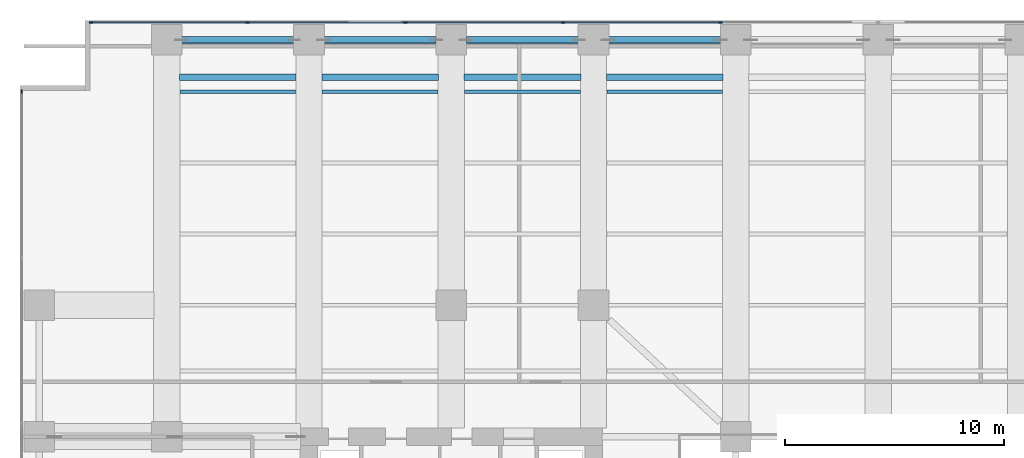
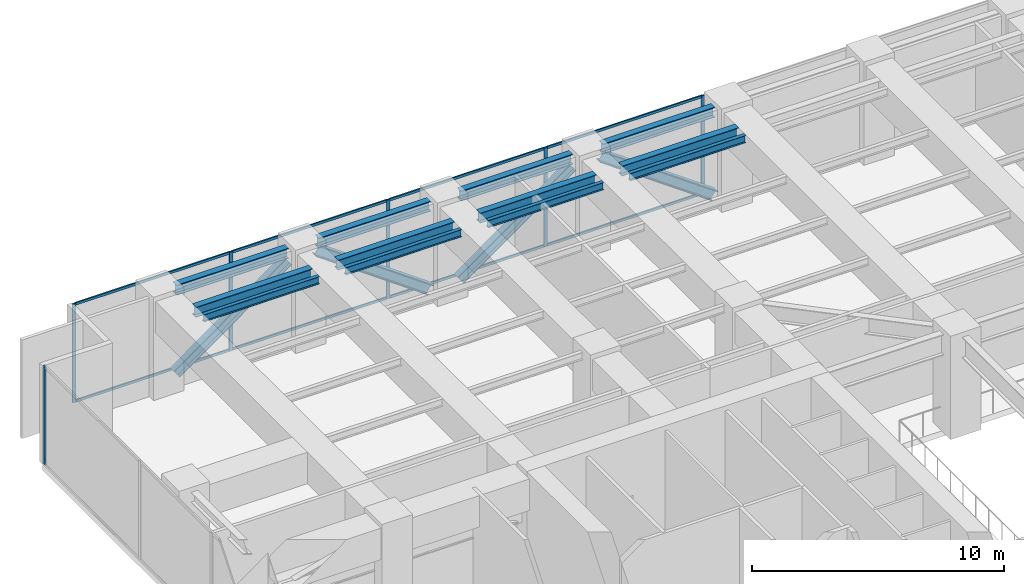
# One storey, part 10 of 31: 18 members, 12 beams, 2 elements without a shape of their own.
"""IFC4 building model written with IfcOpenShell, lengths in metres."""

from ifc_helpers import new_model, si_unit, direction, frame, origin, origin_2d, place, context, subcontext, project, spatial, rectangle, i_section, extrude, material, layer, layer_set, material_profile, profile_set, type_object, element, aggregate, save


model = new_model("IFC4")

# Units and contexts
model_context = context("Model", 3, precision=1e-05, world=origin(), true_north=direction((0.0, 1.0)))
body_context = subcontext(model_context, "Body", "Model", "MODEL_VIEW")
ifc_project = project(units=[si_unit("LENGTHUNIT", "METRE"), si_unit("AREAUNIT", "SQUARE_METRE"), si_unit("VOLUMEUNIT", "CUBIC_METRE"), si_unit("PLANEANGLEUNIT", "RADIAN"), si_unit("MASSUNIT", "GRAM", prefix="KILO")], contexts=[model_context])

# Site, building, storey
site_placement = place(None, origin())
site = spatial("IfcSite", under=ifc_project, at=site_placement, CompositionType="ELEMENT")
building_placement = place(site_placement, origin())
building = spatial("IfcBuilding", under=site, at=building_placement, Name="Putna Gate Headquarters", CompositionType="ELEMENT")
storey_placement = place(building_placement, frame((0.0, 0.0, 81.0)))
storey = spatial("IfcBuildingStorey", under=building, at=storey_placement, Name="L19", CompositionType="ELEMENT", Elevation=81.0)

# Beams
ifc_material_1 = material(Name="Steel S355J2", Category="steel")
ifc_material_profile_1 = material_profile(ifc_material_1, i_section(OverallWidth=0.169921875, OverallDepth=0.360107421875, WebThickness=0.008056640625, FlangeThickness=0.0126953125, at=origin_2d()), Name="Steel S355J2")
ifc_profile_set_1 = profile_set([ifc_material_profile_1], Name="Steel S355J2")
beam_type_1 = type_object("IfcBeamType", Name="BM-SEC-Z2-IPE360", PredefinedType="BEAM", material=ifc_profile_set_1)
for number, where, z_axis, x_axis, name in (
    (1, (7.10400390625, 48.75, 4.5849609375), (1.0, 0.0, 0.0), (0.0, 1.0, 0.0), "L19 North Secondary Beam 1"),
    (2, (13.60400390625, 48.75, 4.5849609375), (1.0, 0.0, 0.0), (0.0, 1.0, 0.0), "L19 North Secondary Beam 2"),
    (3, (20.10400390625, 48.75, 4.5849609375), (1.0, 0.0, 0.0), (0.0, 1.0, 0.0), "L19 North Secondary Beam 3"),
    (4, (26.60400390625, 48.75, 4.5849609375), (1.0, 0.0, 0.0), (0.0, 1.0, 0.0), "L19 North Secondary Beam 4"),
):
    element("IfcBeam", number, at=place(storey_placement, frame(where, z_axis=z_axis, x_axis=x_axis)), inside=storey, type_object=beam_type_1, Name=name, PredefinedType="BEAM", context=body_context, shape_type="SweptSolid", body=[
        extrude(i_section(OverallWidth=0.169921875, OverallDepth=0.360107421875, WebThickness=0.008056640625, FlangeThickness=0.0126953125, at=origin_2d()), origin(), (0.0, 0.0, 1.0), 5.2919921875),
    ])
ifc_material_profile_2 = material_profile(ifc_material_1, i_section(OverallWidth=0.300048828125, OverallDepth=0.489990234375, WebThickness=0.011962890625, FlangeThickness=0.02294921875, at=origin_2d()), Name="Steel S355J2")
ifc_profile_set_2 = profile_set([ifc_material_profile_2], Name="Steel S355J2")
beam_type_2 = type_object("IfcBeamType", Name="BM-SPAN-Z2-HEA500", PredefinedType="SPANDREL", material=ifc_profile_set_2)
for number, where, z_axis, x_axis, name in (
    (5, (7.18798828125, 51.1201171875, 4.52001953125), (1.0, 0.0, 0.0), (0.0, 1.0, 0.0), "L19 N Perimeter Spandrel 1"),
    (6, (13.68798828125, 51.1201171875, 4.52001953125), (1.0, 0.0, 0.0), (0.0, 1.0, 0.0), "L19 N Perimeter Spandrel 2"),
    (7, (20.18798828125, 51.1201171875, 4.52001953125), (1.0, 0.0, 0.0), (0.0, 1.0, 0.0), "L19 N Perimeter Spandrel 3"),
    (8, (26.68798828125, 51.1201171875, 4.52001953125), (1.0, 0.0, 0.0), (0.0, 1.0, 0.0), "L19 N Perimeter Spandrel 4"),
):
    element("IfcBeam", number, at=place(storey_placement, frame(where, z_axis=z_axis, x_axis=x_axis)), inside=storey, type_object=beam_type_2, Name=name, PredefinedType="SPANDREL", context=body_context, shape_type="SweptSolid", body=[
        extrude(i_section(OverallWidth=0.300048828125, OverallDepth=0.489990234375, WebThickness=0.011962890625, FlangeThickness=0.02294921875, at=origin_2d()), origin(), (0.0, 0.0, 1.0), 5.1240234375),
    ])
for number, where, z_axis, x_axis, name in (
    (9, (7.0849609375, 49.419921875, 4.52001953125), (1.0, 0.0, 0.0), (0.0, 1.0, 0.0), "L19 Setback Edge Beam N1"),
    (10, (13.5849609375, 49.419921875, 4.52001953125), (1.0, 0.0, 0.0), (0.0, 1.0, 0.0), "L19 Setback Edge Beam N2"),
    (11, (20.0849609375, 49.419921875, 4.52001953125), (1.0, 0.0, 0.0), (0.0, 1.0, 0.0), "L19 Setback Edge Beam N3"),
    (12, (26.5849609375, 49.419921875, 4.52001953125), (1.0, 0.0, 0.0), (0.0, 1.0, 0.0), "L19 Setback Edge Beam N4"),
):
    element("IfcBeam", number, at=place(storey_placement, frame(where, z_axis=z_axis, x_axis=x_axis)), inside=storey, type_object=beam_type_2, Name=name, PredefinedType="SPANDREL", context=body_context, shape_type="SweptSolid", body=[
        extrude(i_section(OverallWidth=0.300048828125, OverallDepth=0.489990234375, WebThickness=0.011962890625, FlangeThickness=0.02294921875, at=origin_2d()), origin(), (0.0, 0.0, 1.0), 5.330078125),
    ])

# Members
ifc_material_2 = material(Name="Steel S460M", Category="steel")
ifc_material_profile_3 = material_profile(ifc_material_2, i_section(OverallWidth=0.306884765625, OverallDepth=0.47802734375, WebThickness=0.02099609375, FlangeThickness=0.0400390625, at=origin_2d()), Name="Steel S460M")
ifc_profile_set_3 = profile_set([ifc_material_profile_3], Name="Steel S460M")
member_type_1 = type_object("IfcMemberType", Name="MEM-BELT-DIAG-HEM450", PredefinedType="BRACE", material=ifc_profile_set_3)
for number, where, z_axis, x_axis, name in (
    (13, (7.18505859375, 51.1201171875, 0.449951171875), (0.813670670629, 0.0, 0.581326104487), (0.0, 1.0, 0.0), "L19 Belt Truss Diagonal N1"),
    (14, (13.68505859375, 51.1201171875, 4.114990234375), (0.813670670629, 0.0, -0.581326104487), (0.0, 1.0, 0.0), "L19 Belt Truss Diagonal N2"),
    (15, (20.18505859375, 51.1201171875, 0.449951171875), (0.813670670629, 0.0, 0.581326104487), (0.0, 1.0, 0.0), "L19 Belt Truss Diagonal N3"),
    (16, (26.68505859375, 51.1201171875, 4.114990234375), (0.813670670629, 0.0, -0.581326104487), (0.0, 1.0, 0.0), "L19 Belt Truss Diagonal N4"),
):
    element("IfcMember", number, at=place(storey_placement, frame(where, z_axis=z_axis, x_axis=x_axis)), inside=storey, type_object=member_type_1, Name=name, PredefinedType="BRACE", context=body_context, shape_type="SweptSolid", body=[
        extrude(i_section(OverallWidth=0.306884765625, OverallDepth=0.47802734375, WebThickness=0.02099609375, FlangeThickness=0.0400390625, at=origin_2d()), origin(), (0.0, 0.0, 1.0), 6.3046875),
    ])

# Curtain wall, members
ifc_material_3 = material(Name="Anodised bronze aluminium curtain wall", Category="aluminium")
ifc_layer = layer(ifc_material_3, 0.159912109375)
ifc_layer_set = layer_set([ifc_layer], Name="Anodised bronze aluminium curtain wall")
curtain_wall_type = type_object("IfcCurtainWallType", Name="CW-SYS-CRN", PredefinedType="USERDEFINED", material=ifc_layer_set)
curtain_wall_1_placement = place(storey_placement, origin())
curtain_wall_1 = element("IfcCurtainWall", 17, at=curtain_wall_1_placement, inside=storey, type_object=curtain_wall_type, Name="L19 Acoustic Louvre North Enclosure", ObjectType="STICK CURTAIN WALL", PredefinedType="USERDEFINED")
ifc_material_4 = material(Name="Anodised bronze aluminium EN AW-6060", Category="aluminium")
ifc_material_profile_4 = material_profile(ifc_material_4, rectangle(XDim=0.06494140625, YDim=0.159912109375, at=origin_2d()), Name="Anodised bronze aluminium EN AW-6060")
ifc_profile_set_4 = profile_set([ifc_material_profile_4], Name="Anodised bronze aluminium EN AW-6060")
member_type_2 = type_object("IfcMemberType", Name="MULL-CWM-CR", PredefinedType="MULLION", material=ifc_profile_set_4)
member_1_placement = place(storey_placement, frame((3.032470703125, 51.919921875, 0.0), z_axis=(0.0, 0.0, 1.0), x_axis=(0.0, 1.0, 0.0)))
member_1 = element("IfcMember", 18, at=member_1_placement, type_object=member_type_2, Name="CWS-CR mullion 1", PredefinedType="MULLION", context=body_context, shape_type="SweptSolid", body=[
    extrude(rectangle(XDim=0.06494140625, YDim=0.159912109375, at=origin_2d()), origin(), (0.0, 0.0, 1.0), 4.764892578125),
])
member_2_placement = place(storey_placement, frame((10.199951171875, 51.919921875, 0.0), z_axis=(0.0, 0.0, 1.0), x_axis=(0.0, 1.0, 0.0)))
member_2 = element("IfcMember", 19, at=member_2_placement, type_object=member_type_2, Name="CWS-CR mullion 2", PredefinedType="MULLION", context=body_context, shape_type="SweptSolid", body=[
    extrude(rectangle(XDim=0.06494140625, YDim=0.159912109375, at=origin_2d()), origin(), (0.0, 0.0, 1.0), 4.764892578125),
])
member_3_placement = place(storey_placement, frame((17.39990234375, 51.919921875, 0.0), z_axis=(0.0, 0.0, 1.0), x_axis=(0.0, 1.0, 0.0)))
member_3 = element("IfcMember", 20, at=member_3_placement, type_object=member_type_2, Name="CWS-CR mullion 3", PredefinedType="MULLION", context=body_context, shape_type="SweptSolid", body=[
    extrude(rectangle(XDim=0.06494140625, YDim=0.159912109375, at=origin_2d()), origin(), (0.0, 0.0, 1.0), 4.764892578125),
])
member_4_placement = place(storey_placement, frame((24.60009765625, 51.919921875, 0.0), z_axis=(0.0, 0.0, 1.0), x_axis=(0.0, 1.0, 0.0)))
member_4 = element("IfcMember", 21, at=member_4_placement, type_object=member_type_2, Name="CWS-CR mullion 4", PredefinedType="MULLION", context=body_context, shape_type="SweptSolid", body=[
    extrude(rectangle(XDim=0.06494140625, YDim=0.159912109375, at=origin_2d()), origin(), (0.0, 0.0, 1.0), 4.764892578125),
])
member_5_placement = place(storey_placement, frame((31.800048828125, 51.919921875, 0.0), z_axis=(0.0, 0.0, 1.0), x_axis=(0.0, 1.0, 0.0)))
member_5 = element("IfcMember", 22, at=member_5_placement, type_object=member_type_2, Name="CWS-CR mullion 5", PredefinedType="MULLION", context=body_context, shape_type="SweptSolid", body=[
    extrude(rectangle(XDim=0.06494140625, YDim=0.159912109375, at=origin_2d()), origin(), (0.0, 0.0, 1.0), 4.764892578125),
])

# Curtain wall, member
curtain_wall_2_placement = place(storey_placement, origin())
curtain_wall_2 = element("IfcCurtainWall", 23, at=curtain_wall_2_placement, inside=storey, type_object=curtain_wall_type, Name="L19 Acoustic Louvre West Enclosure", ObjectType="STICK CURTAIN WALL", PredefinedType="USERDEFINED")
member_6_placement = place(storey_placement, frame((-0.1201171875, 48.767578125, 0.0), z_axis=(0.0, 0.0, 1.0), x_axis=(-1.0, 0.0, 0.0)))
member_6 = element("IfcMember", 24, at=member_6_placement, type_object=member_type_2, Name="CWS-CR mullion 7", PredefinedType="MULLION", context=body_context, shape_type="SweptSolid", body=[
    extrude(rectangle(XDim=0.06494140625, YDim=0.159912109375, at=origin_2d()), origin(), (0.0, 0.0, 1.0), 4.764892578125),
])
aggregate(curtain_wall_2, [member_6])

# Member
ifc_material_profile_5 = material_profile(ifc_material_4, rectangle(XDim=0.06494140625, YDim=0.1201171875, at=origin_2d()), Name="Anodised bronze aluminium EN AW-6060")
ifc_profile_set_5 = profile_set([ifc_material_profile_5], Name="Anodised bronze aluminium EN AW-6060")
member_type_3 = type_object("IfcMemberType", Name="TRAN-CWT-CR", PredefinedType="USERDEFINED", material=ifc_profile_set_5)
member_7_placement = place(storey_placement, frame((3.06494140625, 51.919921875, 0.032470703125), z_axis=(1.0, 0.0, 0.0), x_axis=(0.0, 1.0, 0.0)))
member_7 = element("IfcMember", 25, at=member_7_placement, type_object=member_type_3, Name="CWS-CR transom 1.1", ObjectType="TRANSOM", PredefinedType="USERDEFINED", context=body_context, shape_type="SweptSolid", body=[
    extrude(rectangle(XDim=0.06494140625, YDim=0.1201171875, at=origin_2d()), origin(), (0.0, 0.0, 1.0), 7.1025390625),
])

member_8_placement = place(storey_placement, frame((3.06494140625, 51.919921875, 4.732421875), z_axis=(1.0, 0.0, 0.0), x_axis=(0.0, 1.0, 0.0)))
member_8 = element("IfcMember", 26, at=member_8_placement, type_object=member_type_3, Name="CWS-CR transom 1.2", ObjectType="TRANSOM", PredefinedType="USERDEFINED", context=body_context, shape_type="SweptSolid", body=[
    extrude(rectangle(XDim=0.06494140625, YDim=0.1201171875, at=origin_2d()), origin(), (0.0, 0.0, 1.0), 7.1025390625),
])

member_9_placement = place(storey_placement, frame((10.232421875, 51.919921875, 0.032470703125), z_axis=(1.0, 0.0, 0.0), x_axis=(0.0, 1.0, 0.0)))
member_9 = element("IfcMember", 27, at=member_9_placement, type_object=member_type_3, Name="CWS-CR transom 2.1", ObjectType="TRANSOM", PredefinedType="USERDEFINED", context=body_context, shape_type="SweptSolid", body=[
    extrude(rectangle(XDim=0.06494140625, YDim=0.1201171875, at=origin_2d()), origin(), (0.0, 0.0, 1.0), 7.135009765625),
])

member_10_placement = place(storey_placement, frame((10.232421875, 51.919921875, 4.732421875), z_axis=(1.0, 0.0, 0.0), x_axis=(0.0, 1.0, 0.0)))
member_10 = element("IfcMember", 28, at=member_10_placement, type_object=member_type_3, Name="CWS-CR transom 2.2", ObjectType="TRANSOM", PredefinedType="USERDEFINED", context=body_context, shape_type="SweptSolid", body=[
    extrude(rectangle(XDim=0.06494140625, YDim=0.1201171875, at=origin_2d()), origin(), (0.0, 0.0, 1.0), 7.135009765625),
])

member_11_placement = place(storey_placement, frame((17.4326171875, 51.919921875, 0.032470703125), z_axis=(1.0, 0.0, 0.0), x_axis=(0.0, 1.0, 0.0)))
member_11 = element("IfcMember", 29, at=member_11_placement, type_object=member_type_3, Name="CWS-CR transom 3.1", ObjectType="TRANSOM", PredefinedType="USERDEFINED", context=body_context, shape_type="SweptSolid", body=[
    extrude(rectangle(XDim=0.06494140625, YDim=0.1201171875, at=origin_2d()), origin(), (0.0, 0.0, 1.0), 7.134765625),
])

member_12_placement = place(storey_placement, frame((17.4326171875, 51.919921875, 4.732421875), z_axis=(1.0, 0.0, 0.0), x_axis=(0.0, 1.0, 0.0)))
member_12 = element("IfcMember", 30, at=member_12_placement, type_object=member_type_3, Name="CWS-CR transom 3.2", ObjectType="TRANSOM", PredefinedType="USERDEFINED", context=body_context, shape_type="SweptSolid", body=[
    extrude(rectangle(XDim=0.06494140625, YDim=0.1201171875, at=origin_2d()), origin(), (0.0, 0.0, 1.0), 7.134765625),
])

member_13_placement = place(storey_placement, frame((24.632568359375, 51.919921875, 0.032470703125), z_axis=(1.0, 0.0, 0.0), x_axis=(0.0, 1.0, 0.0)))
member_13 = element("IfcMember", 31, at=member_13_placement, type_object=member_type_3, Name="CWS-CR transom 4.1", ObjectType="TRANSOM", PredefinedType="USERDEFINED", context=body_context, shape_type="SweptSolid", body=[
    extrude(rectangle(XDim=0.06494140625, YDim=0.1201171875, at=origin_2d()), origin(), (0.0, 0.0, 1.0), 7.135009765625),
])

member_14_placement = place(storey_placement, frame((24.632568359375, 51.919921875, 4.732421875), z_axis=(1.0, 0.0, 0.0), x_axis=(0.0, 1.0, 0.0)))
member_14 = element("IfcMember", 32, at=member_14_placement, type_object=member_type_3, Name="CWS-CR transom 4.2", ObjectType="TRANSOM", PredefinedType="USERDEFINED", context=body_context, shape_type="SweptSolid", body=[
    extrude(rectangle(XDim=0.06494140625, YDim=0.1201171875, at=origin_2d()), origin(), (0.0, 0.0, 1.0), 7.135009765625),
])

aggregate(curtain_wall_1, [member_1, member_2, member_3, member_4, member_5, member_7, member_8, member_9, member_10, member_11, member_12, member_13, member_14])

save(model, "model.ifc")
